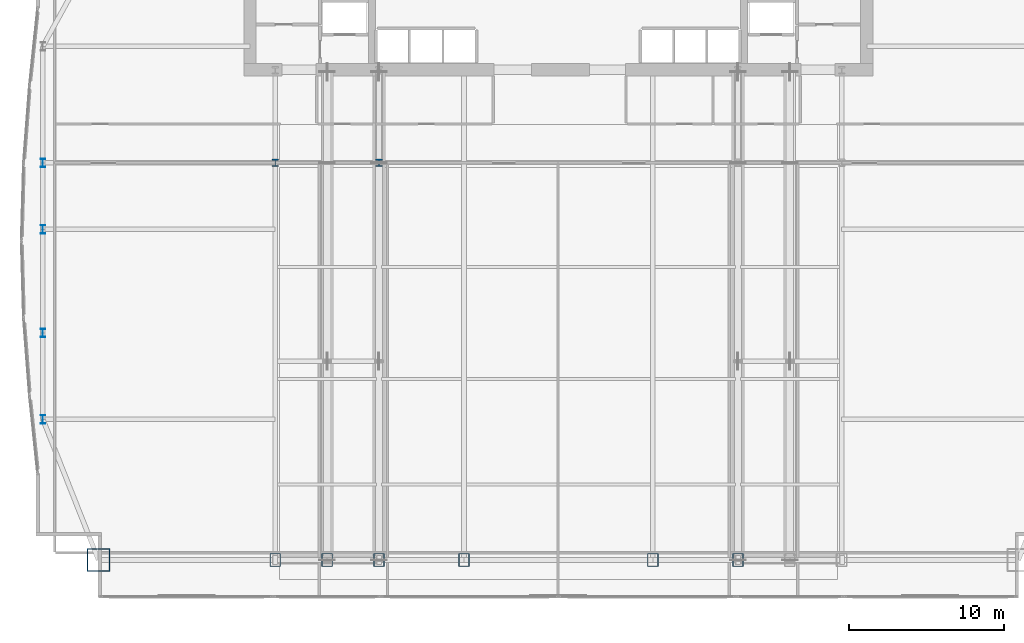
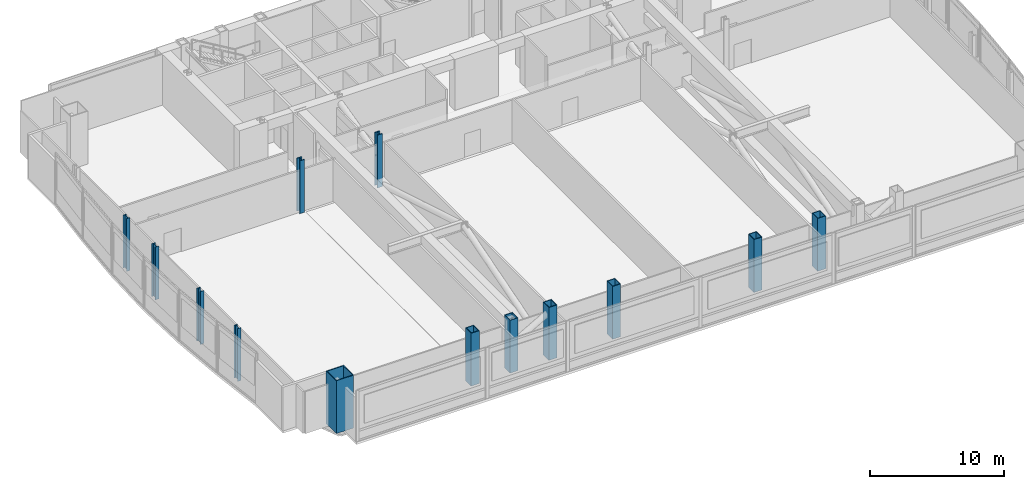
# One storey, part 1 of 32: 13 columns.
"""IFC4 building model written with IfcOpenShell, lengths in metres."""

from ifc_helpers import new_model, si_unit, direction, frame, origin, origin_2d, place, context, subcontext, project, spatial, hollow_rectangle, i_section, extrude, material, material_profile, profile_set, type_object, element, save


model = new_model("IFC4")

# Units and contexts
model_context = context("Model", 3, precision=1e-05, world=origin(), true_north=direction((0.0, 1.0)))
body_context = subcontext(model_context, "Body", "Model", "MODEL_VIEW")
ifc_project = project(units=[si_unit("LENGTHUNIT", "METRE"), si_unit("AREAUNIT", "SQUARE_METRE"), si_unit("VOLUMEUNIT", "CUBIC_METRE"), si_unit("PLANEANGLEUNIT", "RADIAN"), si_unit("MASSUNIT", "GRAM", prefix="KILO")], contexts=[model_context])

# Site, building, storey
site_placement = place(None, origin())
site = spatial("IfcSite", under=ifc_project, at=site_placement, CompositionType="ELEMENT")
building_placement = place(site_placement, origin())
building = spatial("IfcBuilding", under=site, at=building_placement, Name="Khoronbel Lancet Exchange", CompositionType="ELEMENT")
storey_placement = place(building_placement, frame((0.0, 0.0, 85.800048828125)))
storey = spatial("IfcBuildingStorey", under=building, at=storey_placement, Name="L20", CompositionType="ELEMENT", Elevation=85.800048828125)

# Columns
ifc_material_1 = material(Name="Steel S460", Category="steel")
ifc_material_profile_1 = material_profile(ifc_material_1, hollow_rectangle(XDim=0.699951171875, YDim=0.85009765625, WallThickness=0.050048828125, at=origin_2d()), Name="BOX 850x700x50")
ifc_profile_set_1 = profile_set([ifc_material_profile_1], Name="Steel S460")
column_type_1 = type_object("IfcColumnType", Name="COL-EC2", PredefinedType="COLUMN", material=ifc_profile_set_1)
for number, where, z_axis, x_axis, name in (
    (1, (18.22509765625, 10.14990234375, 0.0), (0.0, 0.0, 1.0), (1.0, 0.0, 0.0), "Structural column SC-W1 L20"),
    (2, (21.5625, 10.14990234375, 0.0), (0.0, 0.0, 1.0), (1.0, 0.0, 0.0), "Structural column SC-WM L20"),
    (3, (24.89990234375, 10.14990234375, 0.0), (0.0, 0.0, 1.0), (1.0, 0.0, 0.0), "Structural column SC-W2 L20"),
    (4, (30.375, 10.14990234375, 0.0), (0.0, 0.0, 1.0), (1.0, 0.0, 0.0), "Structural column SC-C1 L20"),
    (5, (42.52490234375, 10.14990234375, 0.0), (0.0, 0.0, 1.0), (1.0, 0.0, 0.0), "Structural column SC-C2 L20"),
    (6, (48.0, 10.14990234375, 0.0), (0.0, 0.0, 1.0), (1.0, 0.0, 0.0), "Structural column SC-E1 L20"),
):
    element("IfcColumn", number, at=place(storey_placement, frame(where, z_axis=z_axis, x_axis=x_axis)), inside=storey, type_object=column_type_1, Name=name, PredefinedType="COLUMN", context=body_context, shape_type="SweptSolid", body=[
        extrude(hollow_rectangle(XDim=0.699951171875, YDim=0.85009765625, WallThickness=0.050048828125, at=origin_2d()), origin(), (0.0, 0.0, 1.0), 4.800048828125),
    ])
ifc_material_profile_2 = material_profile(ifc_material_1, i_section(OverallWidth=0.424072265625, OverallDepth=0.47412109375, WebThickness=0.047607421875, FlangeThickness=0.076904296875, at=origin_2d()), Name="HD 400x634")
ifc_profile_set_2 = profile_set([ifc_material_profile_2], Name="Steel S460")
column_type_2 = type_object("IfcColumnType", Name="COL-IC1", PredefinedType="COLUMN", material=ifc_profile_set_2)
for number, where, z_axis, x_axis, name in (
    (7, (18.22509765625, 35.699951171875, 0.0), (0.0, 0.0, 1.0), (1.0, 0.0, 0.0), "Spine gravity column TC1 L20"),
    (8, (24.89990234375, 35.699951171875, 0.0), (0.0, 0.0, 1.0), (1.0, 0.0, 0.0), "Spine gravity column TC2 L20"),
):
    element("IfcColumn", number, at=place(storey_placement, frame(where, z_axis=z_axis, x_axis=x_axis)), inside=storey, type_object=column_type_2, Name=name, PredefinedType="COLUMN", context=body_context, shape_type="SweptSolid", body=[
        extrude(i_section(OverallWidth=0.424072265625, OverallDepth=0.47412109375, WebThickness=0.047607421875, FlangeThickness=0.076904296875, at=origin_2d()), origin(), (0.0, 0.0, 1.0), 4.800048828125),
    ])
ifc_material_2 = material(Name="Steel S355", Category="steel")
ifc_material_profile_3 = material_profile(ifc_material_2, i_section(OverallWidth=0.300048828125, OverallDepth=0.550048828125, WebThickness=0.014892578125, FlangeThickness=0.029052734375, at=origin_2d()), Name="HEB 550")
ifc_profile_set_3 = profile_set([ifc_material_profile_3], Name="Steel S355")
column_type_3 = type_object("IfcColumnType", Name="COL-LC1", PredefinedType="COLUMN", material=ifc_profile_set_3)
for number, where, z_axis, x_axis, name in (
    (9, (3.27001953125, 19.199951171875, 0.0), (0.0, 0.0, 1.0), (1.0, 0.0, 0.0), "Structural column WC-1 L20"),
    (10, (3.27001953125, 24.75, 0.0), (0.0, 0.0, 1.0), (1.0, 0.0, 0.0), "Structural column WC-2 L20"),
    (11, (3.27001953125, 31.425048828125, 0.0), (0.0, 0.0, 1.0), (1.0, 0.0, 0.0), "Structural column WC-M L20"),
    (12, (3.27001953125, 35.699951171875, 0.0), (0.0, 0.0, 1.0), (1.0, 0.0, 0.0), "Structural column WC-3 L20"),
):
    element("IfcColumn", number, at=place(storey_placement, frame(where, z_axis=z_axis, x_axis=x_axis)), inside=storey, type_object=column_type_3, Name=name, PredefinedType="COLUMN", context=body_context, shape_type="SweptSolid", body=[
        extrude(i_section(OverallWidth=0.300048828125, OverallDepth=0.550048828125, WebThickness=0.014892578125, FlangeThickness=0.029052734375, at=origin_2d()), origin(), (0.0, 0.0, 1.0), 4.800048828125),
    ])
ifc_material_profile_4 = material_profile(ifc_material_1, hollow_rectangle(XDim=1.5, YDim=1.5, WallThickness=0.070068359375, at=origin_2d()), Name="BOX 1500x1500x70")
ifc_profile_set_4 = profile_set([ifc_material_profile_4], Name="Steel S460")
column_type_4 = type_object("IfcColumnType", Name="COL-MC3", PredefinedType="COLUMN", material=ifc_profile_set_4)
column_placement = place(storey_placement, frame((6.85009765625, 10.14990234375, 0.0), z_axis=(0.0, 0.0, 1.0), x_axis=(1.0, 0.0, 0.0)))
element("IfcColumn", 13, at=column_placement, inside=storey, type_object=column_type_4, Name="Structural column MC-SW L20", PredefinedType="COLUMN", context=body_context, shape_type="SweptSolid", body=[
    extrude(hollow_rectangle(XDim=1.5, YDim=1.5, WallThickness=0.070068359375, at=origin_2d()), origin(), (0.0, 0.0, 1.0), 4.800048828125),
])

save(model, "model.ifc")
